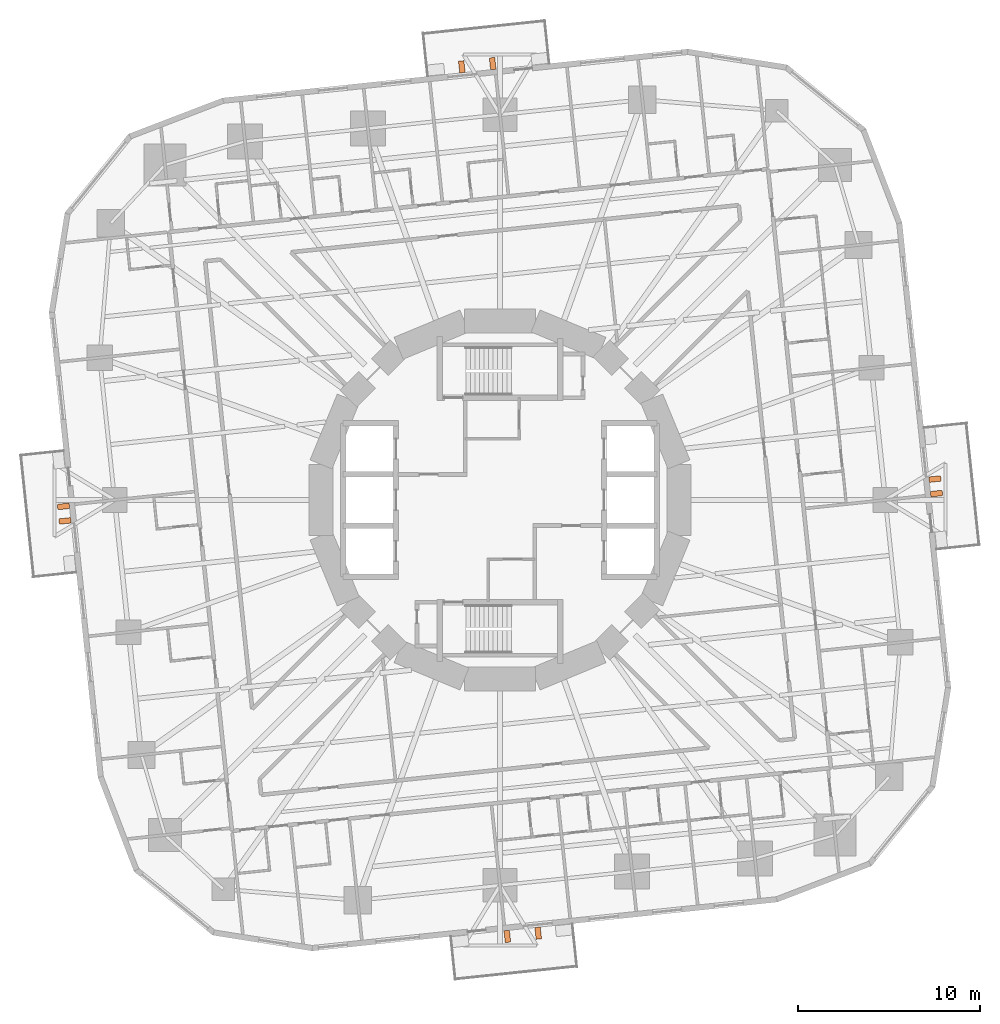
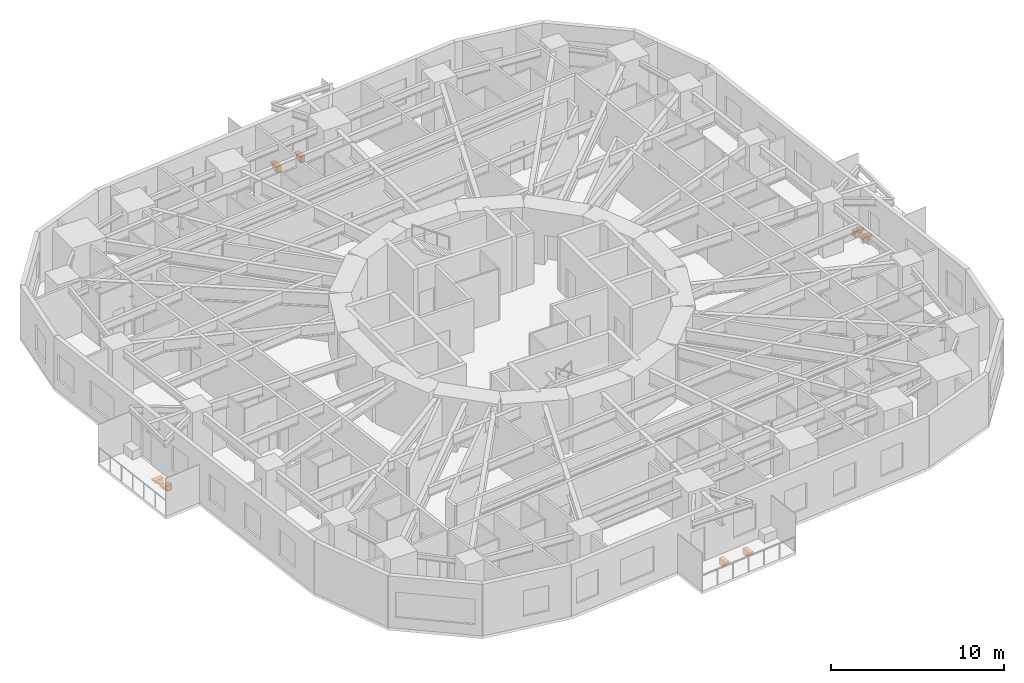
# One storey, part 13 of 13: 8 proxies.
"""IFC4 building model written with IfcOpenShell, lengths in metres."""

from ifc_helpers import new_model, si_unit, direction, frame, origin, place, context, subcontext, project, spatial, polyline, outline, extrude, material, type_object, element, save


model = new_model("IFC4")

# Units and contexts
model_context = context("Model", 3, precision=1e-05, world=origin(), true_north=direction((0.0, 1.0)))
body_context = subcontext(model_context, "Body", "Model", "MODEL_VIEW")
ifc_project = project(units=[si_unit("LENGTHUNIT", "METRE"), si_unit("AREAUNIT", "SQUARE_METRE"), si_unit("VOLUMEUNIT", "CUBIC_METRE"), si_unit("PLANEANGLEUNIT", "RADIAN"), si_unit("MASSUNIT", "GRAM", prefix="KILO")], contexts=[model_context])

# Site, building, storey
site_placement = place(None, origin())
site = spatial("IfcSite", under=ifc_project, at=site_placement, CompositionType="ELEMENT")
building_placement = place(site_placement, origin())
building = spatial("IfcBuilding", under=site, at=building_placement, Name="Nakasero Lantern House", CompositionType="ELEMENT")
storey_placement = place(building_placement, frame((0.0, 0.0, 75.89990234375)))
storey = spatial("IfcBuildingStorey", under=building, at=storey_placement, Name="L18", CompositionType="ELEMENT", Elevation=75.89990234375)

# Proxies
ifc_material = material(Name="Concrete C40/50 precast", Category="concrete")
building_element_proxy_type = type_object("IfcBuildingElementProxyType", Name="Balcony bracket 300", PredefinedType="USERDEFINED", material=ifc_material)
for number, where, z_axis, x_axis, name in (
    (1, (23.595947265625, 0.318115234375, -0.199951171875), (0.0, 0.0, 1.0), (0.994521895, 0.104528463, 0.0), "Balcony bracket L18 0A"),
    (2, (23.512451171875, 1.11376953125, -0.199951171875), (0.0, 0.0, 1.0), (0.994521895, 0.104528463, 0.0), "Balcony bracket L18 0B"),
    (3, (-0.367919921875, 23.5908203125, -0.199951171875), (0.0, 0.0, 1.0), (-0.104528463, 0.994521895, 0.0), "Balcony bracket L18 1A"),
    (4, (-2.05859375, 23.4130859375, -0.199951171875), (0.0, 0.0, 1.0), (-0.104528463, 0.994521895, 0.0), "Balcony bracket L18 1B"),
    (5, (-23.595947265625, -0.318115234375, -0.199951171875), (0.0, 0.0, 1.0), (-0.994521895, -0.104528463, 0.0), "Balcony bracket L18 2A"),
    (6, (-23.512451171875, -1.11376953125, -0.199951171875), (0.0, 0.0, 1.0), (-0.994521895, -0.104528463, 0.0), "Balcony bracket L18 2B"),
    (7, (0.367919921875, -23.5908203125, -0.199951171875), (0.0, 0.0, 1.0), (0.104528463, -0.994521895, 0.0), "Balcony bracket L18 3A"),
    (8, (2.05859375, -23.4130859375, -0.199951171875), (0.0, 0.0, 1.0), (0.104528463, -0.994521895, 0.0), "Balcony bracket L18 3B"),
):
    element("IfcBuildingElementProxy", number, at=place(storey_placement, frame(where, z_axis=z_axis, x_axis=x_axis)), inside=storey, type_object=building_element_proxy_type, Name=name, ObjectType="BALCONY BRACKET", PredefinedType="USERDEFINED", context=body_context, shape_type="SweptSolid", body=[
        extrude(outline(polyline([(0.0, 0.0), (0.64990234375, 0.0), (0.64990234375, -0.1201171875), (0.5, -0.1201171875), (0.5, -0.280029296875), (0.300048828125, -0.280029296875), (0.300048828125, -0.43994140625), (0.0, -0.43994140625), (0.0, 0.0)])), frame((0.0, 0.14990234375, 0.0), z_axis=(0.0, -1.0, 0.0), x_axis=(1.0, 0.0, 0.0)), (0.0, 0.0, 1.0), 0.300048828125),
    ])

save(model, "model.ifc")
